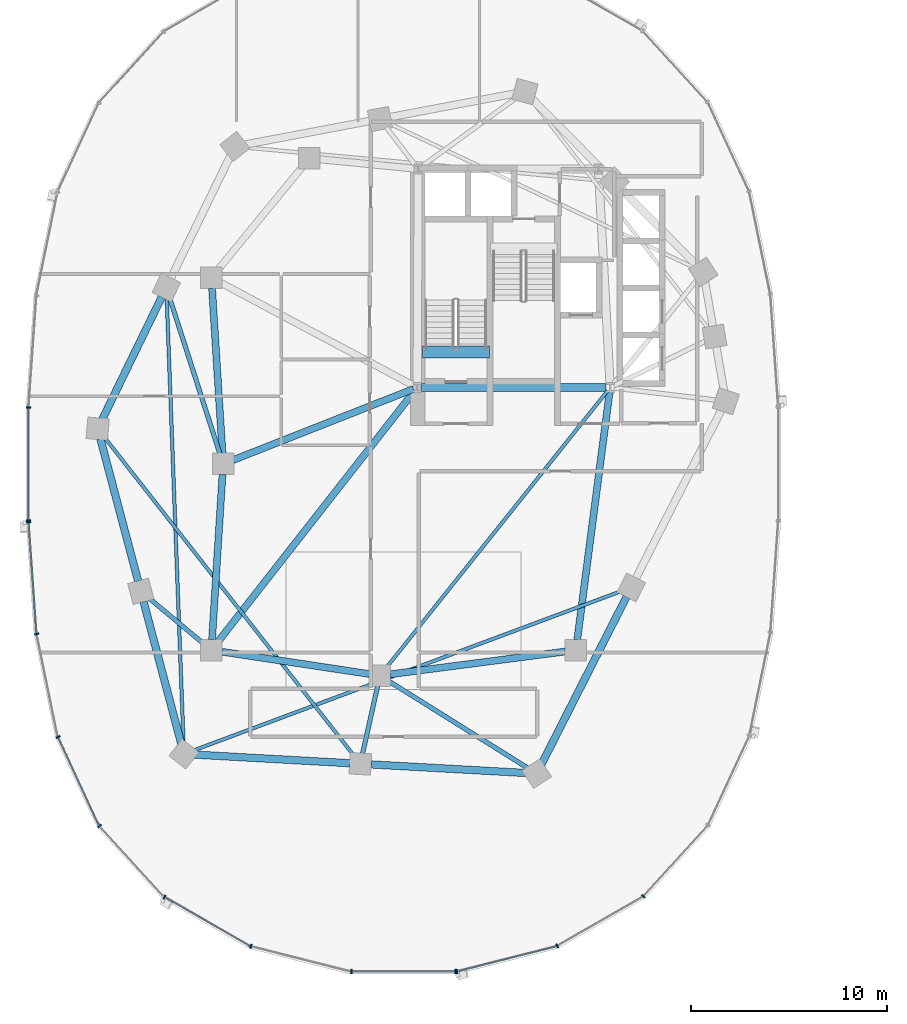
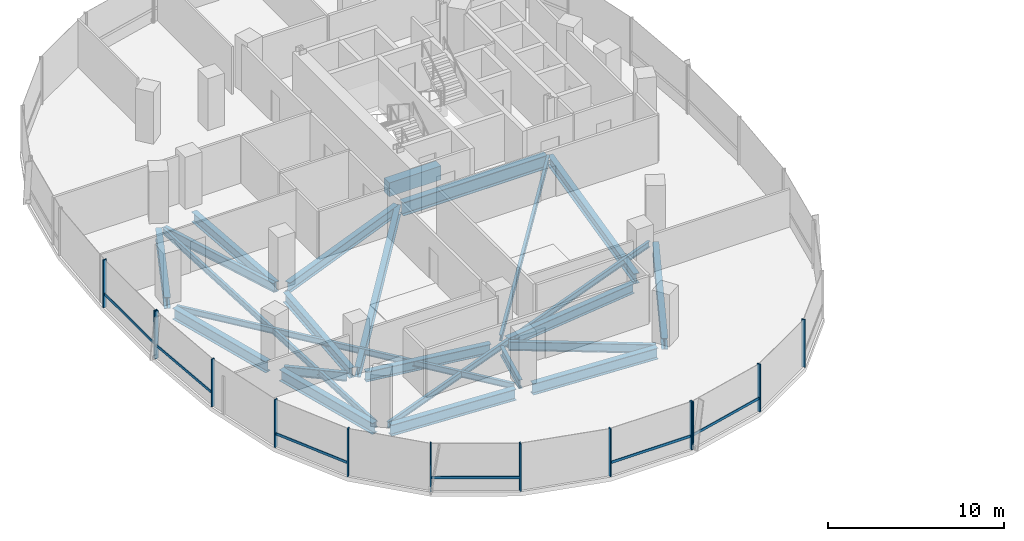
# One storey, part 2 of 21: 23 beams, 19 members, 3 elements without a shape of their own.
"""IFC4 building model written with IfcOpenShell, lengths in metres."""

from ifc_helpers import new_model, si_unit, direction, frame, origin, origin_2d, place, context, subcontext, project, spatial, rectangle, i_section, extrude, material, material_profile, profile_set, type_object, element, aggregate, save


model = new_model("IFC4")

# Units and contexts
model_context = context("Model", 3, precision=1e-05, world=origin(), true_north=direction((0.0, 1.0)))
body_context = subcontext(model_context, "Body", "Model", "MODEL_VIEW")
ifc_project = project(units=[si_unit("LENGTHUNIT", "METRE"), si_unit("AREAUNIT", "SQUARE_METRE"), si_unit("VOLUMEUNIT", "CUBIC_METRE"), si_unit("PLANEANGLEUNIT", "RADIAN"), si_unit("MASSUNIT", "GRAM", prefix="KILO"), si_unit("THERMODYNAMICTEMPERATUREUNIT", "KELVIN"), si_unit("POWERUNIT", "WATT")], contexts=[model_context])

# Site, building, storey
site_placement = place(None, origin())
site = spatial("IfcSite", under=ifc_project, at=site_placement, CompositionType="ELEMENT")
building_placement = place(site_placement, origin())
building = spatial("IfcBuilding", under=site, at=building_placement, Name="Cundina Bronze Exchange", CompositionType="ELEMENT")
storey_placement = place(building_placement, frame((0.0, 0.0, 92.60009765625)))
storey = spatial("IfcBuildingStorey", under=building, at=storey_placement, Name="L23", CompositionType="ELEMENT", Elevation=92.60009765625)

# Beams
ifc_material_1 = material(Name="Concrete C60/75", Category="concrete")
ifc_material_profile_1 = material_profile(ifc_material_1, rectangle(XDim=0.60009765625, YDim=0.949951171875, at=origin_2d()), Name="RC600X950", Category="concrete")
ifc_profile_set_1 = profile_set([ifc_material_profile_1], Name="Concrete C60/75")
beam_type_1 = type_object("IfcBeamType", Name="BM-COUP-RC950", PredefinedType="LINTEL", material=ifc_profile_set_1)
beam_1_placement = place(storey_placement, frame((-31.02001953125, 5.719970703125, -0.47509765625), z_axis=(1.0, 0.0, 0.0), x_axis=(0.0, 1.0, 0.0)))
element("IfcBeam", 1, at=beam_1_placement, inside=storey, type_object=beam_type_1, Name="L23 Stair W1 Landing Header Beam", PredefinedType="LINTEL", context=body_context, shape_type="SweptSolid", body=[
    extrude(rectangle(XDim=0.60009765625, YDim=0.949951171875, at=origin_2d()), origin(), (0.0, 0.0, 1.0), 3.39990234375),
])
ifc_material_2 = material(Name="Steel ASTM A992 Grade 50", Category="steel")
ifc_material_profile_2 = material_profile(ifc_material_2, i_section(OverallWidth=0.22998046875, OverallDepth=0.616943359375, WebThickness=0.01318359375, FlangeThickness=0.022216796875, FilletRadius=0.013916015625, at=origin_2d()), Name="W24X94", Category="steel")
ifc_profile_set_2 = profile_set([ifc_material_profile_2], Name="Steel ASTM A992 Grade 50")
beam_type_2 = type_object("IfcBeamType", Name="BM-FLR-W24B", PredefinedType="BEAM", material=ifc_profile_set_2)
beam_2_placement = place(storey_placement, frame((-41.364990234375, 0.51220703125, -0.608642578125), z_axis=(-0.306710777581, 0.951802762612, 0.0), x_axis=(-0.951802762612, -0.306710777581, 0.0)))
element("IfcBeam", 2, at=beam_2_placement, inside=storey, type_object=beam_type_2, Name="L23 Leg W Radial Floor Beam 07", PredefinedType="BEAM", context=body_context, shape_type="SweptSolid", body=[
    extrude(i_section(OverallWidth=0.22998046875, OverallDepth=0.616943359375, WebThickness=0.01318359375, FlangeThickness=0.022216796875, FilletRadius=0.013916015625, at=origin_2d()), origin(), (0.0, 0.0, 1.0), 8.37939453125),
])
beam_3_placement = place(storey_placement, frame((-42.21337890625, -9.155517578125, -0.608642578125), z_axis=(-0.768243451945, 0.640157791911, 0.0), x_axis=(-0.640157791911, -0.768243451945, 0.0)))
element("IfcBeam", 3, at=beam_3_placement, inside=storey, type_object=beam_type_2, Name="L23 Leg W Radial Floor Beam 09", PredefinedType="BEAM", context=body_context, shape_type="SweptSolid", body=[
    extrude(i_section(OverallWidth=0.22998046875, OverallDepth=0.616943359375, WebThickness=0.01318359375, FlangeThickness=0.022216796875, FilletRadius=0.013916015625, at=origin_2d()), origin(), (0.0, 0.0, 1.0), 3.610107421875),
])
beam_4_placement = place(storey_placement, frame((-33.316650390625, -11.3251953125, -0.608642578125), z_axis=(-0.216930457819, -0.976187060184, 0.0), x_axis=(0.976187060184, -0.216930457819, 0.0)))
element("IfcBeam", 4, at=beam_4_placement, inside=storey, type_object=beam_type_2, Name="L23 Leg W Radial Floor Beam 11", PredefinedType="BEAM", context=body_context, shape_type="SweptSolid", body=[
    extrude(i_section(OverallWidth=0.22998046875, OverallDepth=0.616943359375, WebThickness=0.01318359375, FlangeThickness=0.022216796875, FilletRadius=0.013916015625, at=origin_2d()), origin(), (0.0, 0.0, 1.0), 3.533935546875),
])
beam_5_placement = place(storey_placement, frame((-32.743896484375, -11.085205078125, -0.608642578125), z_axis=(0.848003227047, -0.529991063055, 0.0), x_axis=(0.529991063055, 0.848003227047, 0.0)))
element("IfcBeam", 5, at=beam_5_placement, inside=storey, type_object=beam_type_2, Name="L23 Leg W Radial Floor Beam 12", PredefinedType="BEAM", context=body_context, shape_type="SweptSolid", body=[
    extrude(i_section(OverallWidth=0.22998046875, OverallDepth=0.616943359375, WebThickness=0.01318359375, FlangeThickness=0.022216796875, FilletRadius=0.013916015625, at=origin_2d()), origin(), (0.0, 0.0, 1.0), 8.358154296875),
])
ifc_material_profile_3 = material_profile(ifc_material_2, i_section(OverallWidth=0.178955078125, OverallDepth=0.409912109375, WebThickness=0.0087890625, FlangeThickness=0.014404296875, FilletRadius=0.010986328125, at=origin_2d()), Name="W16X45", Category="steel")
ifc_profile_set_3 = profile_set([ifc_material_profile_3], Name="Steel ASTM A992 Grade 50")
beam_type_3 = type_object("IfcBeamType", Name="BM-JST-W16", PredefinedType="JOIST", material=ifc_profile_set_3)
beam_6_placement = place(storey_placement, frame((-21.577392578125, 3.740478515625, -0.505126953125), z_axis=(-0.62436887964, -0.781129632095, 0.0), x_axis=(0.781129632095, -0.62436887964, 0.0)))
element("IfcBeam", 6, at=beam_6_placement, inside=storey, type_object=beam_type_3, Name="L23 W Interior Core-to-Ring Joist 2", PredefinedType="JOIST", context=body_context, shape_type="SweptSolid", body=[
    extrude(i_section(OverallWidth=0.178955078125, OverallDepth=0.409912109375, WebThickness=0.0087890625, FlangeThickness=0.014404296875, FilletRadius=0.010986328125, at=origin_2d()), origin(), (0.0, 0.0, 1.0), 18.076904296875),
])
beam_7_placement = place(storey_placement, frame((-44.07958984375, 8.46240234375, -0.505126953125), z_axis=(0.03778951385, -0.999285721224, 0.0), x_axis=(0.999285721224, 0.03778951385, 0.0)))
element("IfcBeam", 7, at=beam_7_placement, inside=storey, type_object=beam_type_3, Name="L23 Leg W Lobe Floor Joist 07-10", PredefinedType="JOIST", context=body_context, shape_type="SweptSolid", body=[
    extrude(i_section(OverallWidth=0.178955078125, OverallDepth=0.409912109375, WebThickness=0.0087890625, FlangeThickness=0.014404296875, FilletRadius=0.010986328125, at=origin_2d()), origin(), (0.0, 0.0, 1.0), 22.7412109375),
])
beam_8_placement = place(storey_placement, frame((-47.268310546875, 1.37646484375, -0.505126953125), z_axis=(0.616815348306, -0.787107887201, 0.0), x_axis=(0.787107887201, 0.616815348306, 0.0)))
element("IfcBeam", 8, at=beam_8_placement, inside=storey, type_object=beam_type_3, Name="L23 Leg W Lobe Floor Joist 08-11", PredefinedType="JOIST", context=body_context, shape_type="SweptSolid", body=[
    extrude(i_section(OverallWidth=0.178955078125, OverallDepth=0.409912109375, WebThickness=0.0087890625, FlangeThickness=0.014404296875, FilletRadius=0.010986328125, at=origin_2d()), origin(), (0.0, 0.0, 1.0), 20.64892578125),
])
beam_9_placement = place(storey_placement, frame((-42.69580078125, -14.6123046875, -0.505126953125), z_axis=(0.937127917421, 0.348986054721, 0.0), x_axis=(-0.348986054721, 0.937127917421, 0.0)))
element("IfcBeam", 9, at=beam_9_placement, inside=storey, type_object=beam_type_3, Name="L23 Leg W Lobe Floor Joist 10-13", PredefinedType="JOIST", context=body_context, shape_type="SweptSolid", body=[
    extrude(i_section(OverallWidth=0.178955078125, OverallDepth=0.409912109375, WebThickness=0.0087890625, FlangeThickness=0.014404296875, FilletRadius=0.010986328125, at=origin_2d()), origin(), (0.0, 0.0, 1.0), 23.2802734375),
])
ifc_material_profile_4 = material_profile(ifc_material_2, i_section(OverallWidth=0.35498046875, OverallDepth=0.695068359375, WebThickness=0.015380859375, FlangeThickness=0.02490234375, FilletRadius=0.01806640625, at=origin_2d()), Name="W27X146", Category="steel")
ifc_profile_set_4 = profile_set([ifc_material_profile_4], Name="Steel ASTM A992 Grade 50")
beam_type_4 = type_object("IfcBeamType", Name="BM-RING-W27", PredefinedType="USERDEFINED", material=ifc_profile_set_4)
for number, where, z_axis, x_axis, name in (
    (10, (-41.76611328125, 8.963134765625, -0.647705078125), (0.06303715519, -0.998011180832, 0.0), (0.998011180832, 0.06303715519, 0.0), "L23 W Inner Structural Ring Girder 03"),
    (11, (-41.23388671875, -0.536865234375, -0.647705078125), (-0.06303715519, -0.998011180832, 0.0), (0.998011180832, -0.06303715519, 0.0), "L23 W Inner Structural Ring Girder 04"),
):
    element("IfcBeam", number, at=place(storey_placement, frame(where, z_axis=z_axis, x_axis=x_axis)), inside=storey, type_object=beam_type_4, Name=name, ObjectType="GIRDER", PredefinedType="USERDEFINED", context=body_context, shape_type="SweptSolid", body=[
        extrude(i_section(OverallWidth=0.35498046875, OverallDepth=0.695068359375, WebThickness=0.015380859375, FlangeThickness=0.02490234375, FilletRadius=0.01806640625, at=origin_2d()), origin(), (0.0, 0.0, 1.0), 8.443115234375),
    ])
beam_10_placement = place(storey_placement, frame((-41.26806640625, -9.580322265625, -0.647705078125), z_axis=(0.988767489563, -0.149461873341, 0.0), x_axis=(0.149461873341, 0.988767489563, 0.0)))
element("IfcBeam", 12, at=beam_10_placement, inside=storey, type_object=beam_type_4, Name="L23 W Inner Structural Ring Girder 05", ObjectType="GIRDER", PredefinedType="USERDEFINED", context=body_context, shape_type="SweptSolid", body=[
    extrude(i_section(OverallWidth=0.35498046875, OverallDepth=0.695068359375, WebThickness=0.015380859375, FlangeThickness=0.02490234375, FilletRadius=0.01806640625, at=origin_2d()), origin(), (0.0, 0.0, 1.0), 7.621826171875),
])
beam_11_placement = place(storey_placement, frame((-32.66650390625, -10.730712890625, -0.647705078125), z_axis=(0.991654577907, 0.128923225666, 0.0), x_axis=(-0.128923225666, 0.991654577907, 0.0)))
element("IfcBeam", 13, at=beam_11_placement, inside=storey, type_object=beam_type_4, Name="L23 W Inner Structural Ring Girder 06", ObjectType="GIRDER", PredefinedType="USERDEFINED", context=body_context, shape_type="SweptSolid", body=[
    extrude(i_section(OverallWidth=0.35498046875, OverallDepth=0.695068359375, WebThickness=0.015380859375, FlangeThickness=0.02490234375, FilletRadius=0.01806640625, at=origin_2d()), origin(), (0.0, 0.0, 1.0), 9.00830078125),
])
beam_12_placement = place(storey_placement, frame((-23.13037109375, -8.966552734375, -0.647705078125), z_axis=(0.129507526533, 0.99157843894, 0.0), x_axis=(-0.99157843894, 0.129507526533, 0.0)))
element("IfcBeam", 14, at=beam_12_placement, inside=storey, type_object=beam_type_4, Name="L23 W Inner Structural Ring Girder 07", ObjectType="GIRDER", PredefinedType="USERDEFINED", context=body_context, shape_type="SweptSolid", body=[
    extrude(i_section(OverallWidth=0.35498046875, OverallDepth=0.695068359375, WebThickness=0.015380859375, FlangeThickness=0.02490234375, FilletRadius=0.01806640625, at=origin_2d()), origin(), (0.0, 0.0, 1.0), 12.77197265625),
])
beam_13_placement = place(storey_placement, frame((-31.48974609375, 3.8251953125, -0.647705078125), z_axis=(-0.930413235418, -0.366512225388, 0.0), x_axis=(0.366512225388, -0.930413235418, 0.0)))
element("IfcBeam", 15, at=beam_13_placement, inside=storey, type_object=beam_type_4, Name="L23 W Core-to-Waist Tie Beam 1", ObjectType="GIRDER", PredefinedType="USERDEFINED", context=body_context, shape_type="SweptSolid", body=[
    extrude(i_section(OverallWidth=0.35498046875, OverallDepth=0.695068359375, WebThickness=0.015380859375, FlangeThickness=0.02490234375, FilletRadius=0.01806640625, at=origin_2d()), origin(), (0.0, 0.0, 1.0), 9.8984375),
])
beam_14_placement = place(storey_placement, frame((-31.42578125, 3.739501953125, -0.647705078125), z_axis=(-0.616789275748, -0.787128318206, 0.0), x_axis=(0.787128318206, -0.616789275748, 0.0)))
element("IfcBeam", 16, at=beam_14_placement, inside=storey, type_object=beam_type_4, Name="L23 W Core-to-Waist Tie Beam 3", ObjectType="GIRDER", PredefinedType="USERDEFINED", context=body_context, shape_type="SweptSolid", body=[
    extrude(i_section(OverallWidth=0.35498046875, OverallDepth=0.695068359375, WebThickness=0.015380859375, FlangeThickness=0.02490234375, FilletRadius=0.01806640625, at=origin_2d()), origin(), (0.0, 0.0, 1.0), 16.281982421875),
])
ifc_material_profile_5 = material_profile(ifc_material_2, i_section(OverallWidth=0.381103515625, OverallDepth=0.77294921875, WebThickness=0.0166015625, FlangeThickness=0.027099609375, FilletRadius=0.01904296875, at=origin_2d()), Name="W30X173", Category="steel")
ifc_profile_set_5 = profile_set([ifc_material_profile_5], Name="Steel ASTM A992 Grade 50")
beam_type_5 = type_object("IfcBeamType", Name="BM-RING-W30", PredefinedType="USERDEFINED", material=ifc_profile_set_5)
beam_15_placement = place(storey_placement, frame((-44.335205078125, 8.51611328125, -0.6865234375), z_axis=(-0.437193894283, -0.899367276924, 0.0), x_axis=(0.899367276924, -0.437193894283, 0.0)))
element("IfcBeam", 17, at=beam_15_placement, inside=storey, type_object=beam_type_5, Name="L23 W Perimeter Ring Girder 07", ObjectType="GIRDER", PredefinedType="USERDEFINED", context=body_context, shape_type="SweptSolid", body=[
    extrude(i_section(OverallWidth=0.381103515625, OverallDepth=0.77294921875, WebThickness=0.0166015625, FlangeThickness=0.027099609375, FilletRadius=0.01904296875, at=origin_2d()), origin(), (0.0, 0.0, 1.0), 6.929443359375),
])
for number, where, z_axis, x_axis, name in (
    (18, (-47.462158203125, 1.280029296875, -0.6865234375), (0.256209719931, -0.966621218168, 0.0), (0.966621218168, 0.256209719931, 0.0), "L23 W Perimeter Ring Girder 08"),
    (19, (-45.26220703125, -7.02001953125, -0.6865234375), (0.256209719931, -0.966621218168, 0.0), (0.966621218168, 0.256209719931, 0.0), "L23 W Perimeter Ring Girder 09"),
):
    element("IfcBeam", number, at=place(storey_placement, frame(where, z_axis=z_axis, x_axis=x_axis)), inside=storey, type_object=beam_type_5, Name=name, ObjectType="GIRDER", PredefinedType="USERDEFINED", context=body_context, shape_type="SweptSolid", body=[
        extrude(i_section(OverallWidth=0.381103515625, OverallDepth=0.77294921875, WebThickness=0.0166015625, FlangeThickness=0.027099609375, FilletRadius=0.01904296875, at=origin_2d()), origin(), (0.0, 0.0, 1.0), 7.5107421875),
    ])
for number, where, z_axis, x_axis, name in (
    (20, (-42.662841796875, -14.829833984375, -0.6865234375), (0.99845950136, -0.055485350721, 0.0), (0.055485350721, 0.99845950136, 0.0), "L23 W Perimeter Ring Girder 10"),
    (21, (-33.662841796875, -15.329833984375, -0.6865234375), (0.99845950136, -0.055485350721, 0.0), (0.055485350721, 0.99845950136, 0.0), "L23 W Perimeter Ring Girder 11"),
):
    element("IfcBeam", number, at=place(storey_placement, frame(where, z_axis=z_axis, x_axis=x_axis)), inside=storey, type_object=beam_type_5, Name=name, ObjectType="GIRDER", PredefinedType="USERDEFINED", context=body_context, shape_type="SweptSolid", body=[
        extrude(i_section(OverallWidth=0.381103515625, OverallDepth=0.77294921875, WebThickness=0.0166015625, FlangeThickness=0.027099609375, FilletRadius=0.01904296875, at=origin_2d()), origin(), (0.0, 0.0, 1.0), 7.937744140625),
    ])
beam_16_placement = place(storey_placement, frame((-24.956298828125, -15.3203125, -0.6865234375), z_axis=(0.452832332744, 0.891595692241, 0.0), x_axis=(-0.891595692241, 0.452832332744, 0.0)))
element("IfcBeam", 22, at=beam_16_placement, inside=storey, type_object=beam_type_5, Name="L23 W Perimeter Ring Girder 12", ObjectType="GIRDER", PredefinedType="USERDEFINED", context=body_context, shape_type="SweptSolid", body=[
    extrude(i_section(OverallWidth=0.381103515625, OverallDepth=0.77294921875, WebThickness=0.0166015625, FlangeThickness=0.027099609375, FilletRadius=0.01904296875, at=origin_2d()), origin(), (0.0, 0.0, 1.0), 9.578857421875),
])
ifc_material_profile_6 = material_profile(ifc_material_2, i_section(OverallWidth=0.41796875, OverallDepth=0.927001953125, WebThickness=0.019287109375, FlangeThickness=0.031982421875, FilletRadius=0.02392578125, at=origin_2d()), Name="W36X231", Category="steel")
ifc_profile_set_6 = profile_set([ifc_material_profile_6], Name="Steel ASTM A992 Grade 50")
beam_type_6 = type_object("IfcBeamType", Name="BM-WRN-W36B", PredefinedType="USERDEFINED", material=ifc_profile_set_6)
beam_17_placement = place(storey_placement, frame((-31.095947265625, 3.89990234375, -0.763671875), z_axis=(1.0, 0.0, 0.0), x_axis=(0.0, 1.0, 0.0)))
element("IfcBeam", 23, at=beam_17_placement, inside=storey, type_object=beam_type_6, Name="L23 W Core Perimeter Tie Girder 1", ObjectType="GIRDER", PredefinedType="USERDEFINED", context=body_context, shape_type="SweptSolid", body=[
    extrude(i_section(OverallWidth=0.41796875, OverallDepth=0.927001953125, WebThickness=0.019287109375, FlangeThickness=0.031982421875, FilletRadius=0.02392578125, at=origin_2d()), origin(), (0.0, 0.0, 1.0), 9.44189453125),
])

# Curtain wall, members
ifc_material_3 = material(Name="Anodised Bronze Aluminium 6063-T6", Category="aluminium")
curtain_wall_type = type_object("IfcCurtainWallType", Name="CWS-TRD-MID", PredefinedType="NOTDEFINED", material=ifc_material_3)
curtain_wall_1_placement = place(storey_placement, origin())
curtain_wall_1 = element("IfcCurtainWall", 24, at=curtain_wall_1_placement, inside=storey, type_object=curtain_wall_type, Name="L23 CW-03 Curtain Wall Run CWR-L23-W2", PredefinedType="NOTDEFINED")
ifc_material_profile_7 = material_profile(ifc_material_3, rectangle(XDim=0.074951171875, YDim=0.219970703125, at=origin_2d()), Name="AL75X220", Category="aluminium")
ifc_profile_set_7 = profile_set([ifc_material_profile_7], Name="Anodised Bronze Aluminium 6063-T6")
member_type_1 = type_object("IfcMemberType", Name="CWM-MUL-220", PredefinedType="MULLION", material=ifc_profile_set_7)
member_1_placement = place(storey_placement, frame((-51.1279296875, 2.880615234375, 0.0), z_axis=(0.0, 0.0, 1.0), x_axis=(0.0, -1.0, 0.0)))
member_1 = element("IfcMember", 25, at=member_1_placement, type_object=member_type_1, Name="CW-03 Mullion 7", PredefinedType="MULLION", context=body_context, shape_type="SweptSolid", body=[
    extrude(rectangle(XDim=0.074951171875, YDim=0.219970703125, at=origin_2d()), origin(), (0.0, 0.0, 1.0), 3.2998046875),
])
member_2_placement = place(storey_placement, frame((-51.1279296875, -2.880615234375, 0.0), z_axis=(0.0, 0.0, 1.0), x_axis=(0.0, -1.0, 0.0)))
member_2 = element("IfcMember", 26, at=member_2_placement, type_object=member_type_1, Name="CW-03 End Mullion", PredefinedType="MULLION", context=body_context, shape_type="SweptSolid", body=[
    extrude(rectangle(XDim=0.074951171875, YDim=0.219970703125, at=origin_2d()), origin(), (0.0, 0.0, 1.0), 3.2998046875),
])

curtain_wall_2_placement = place(storey_placement, origin())
curtain_wall_2 = element("IfcCurtainWall", 27, at=curtain_wall_2_placement, inside=storey, type_object=curtain_wall_type, Name="L23 CW-03 Curtain Wall Run CWR-L23-W3", PredefinedType="NOTDEFINED")
member_3_placement = place(storey_placement, frame((-51.12451171875, -2.976318359375, 0.0), z_axis=(0.0, 0.0, 1.0), x_axis=(0.070278787473, -0.997527389113, 0.0)))
member_3 = element("IfcMember", 28, at=member_3_placement, type_object=member_type_1, Name="CW-03 Mullion 1", PredefinedType="MULLION", context=body_context, shape_type="SweptSolid", body=[
    extrude(rectangle(XDim=0.074951171875, YDim=0.219970703125, at=origin_2d()), origin(), (0.0, 0.0, 1.0), 3.2998046875),
])
member_4_placement = place(storey_placement, frame((-50.717041015625, -8.67822265625, 0.0), z_axis=(0.0, 0.0, 1.0), x_axis=(0.201419845156, -0.979505000486, 0.0)))
member_4 = element("IfcMember", 29, at=member_4_placement, type_object=member_type_1, Name="CW-03 Mullion 2", PredefinedType="MULLION", context=body_context, shape_type="SweptSolid", body=[
    extrude(rectangle(XDim=0.074951171875, YDim=0.219970703125, at=origin_2d()), origin(), (0.0, 0.0, 1.0), 3.2998046875),
])
member_5_placement = place(storey_placement, frame((-49.6279296875, -13.931884765625, 0.0), z_axis=(0.0, 0.0, 1.0), x_axis=(0.42087749791, -0.907117485088, 0.0)))
member_5 = element("IfcMember", 30, at=member_5_placement, type_object=member_type_1, Name="CW-03 Mullion 3", PredefinedType="MULLION", context=body_context, shape_type="SweptSolid", body=[
    extrude(rectangle(XDim=0.074951171875, YDim=0.219970703125, at=origin_2d()), origin(), (0.0, 0.0, 1.0), 3.2998046875),
])
member_6_placement = place(storey_placement, frame((-47.508544921875, -18.47705078125, 0.0), z_axis=(0.0, 0.0, 1.0), x_axis=(0.674302387584, -0.738455340626, 0.0)))
member_6 = element("IfcMember", 31, at=member_6_placement, type_object=member_type_1, Name="CW-03 Mullion 4", PredefinedType="MULLION", context=body_context, shape_type="SweptSolid", body=[
    extrude(rectangle(XDim=0.074951171875, YDim=0.219970703125, at=origin_2d()), origin(), (0.0, 0.0, 1.0), 3.2998046875),
])
member_7_placement = place(storey_placement, frame((-44.189697265625, -22.097412109375, 0.0), z_axis=(0.0, 0.0, 1.0), x_axis=(0.867070701164, -0.498185105339, 0.0)))
member_7 = element("IfcMember", 32, at=member_7_placement, type_object=member_type_1, Name="CW-03 Mullion 5", PredefinedType="MULLION", context=body_context, shape_type="SweptSolid", body=[
    extrude(rectangle(XDim=0.074951171875, YDim=0.219970703125, at=origin_2d()), origin(), (0.0, 0.0, 1.0), 3.2998046875),
])
member_8_placement = place(storey_placement, frame((-39.78515625, -24.61669921875, 0.0), z_axis=(0.0, 0.0, 1.0), x_axis=(0.969488149345, -0.245138182011, 0.0)))
member_8 = element("IfcMember", 33, at=member_8_placement, type_object=member_type_1, Name="CW-03 Mullion 6", PredefinedType="MULLION", context=body_context, shape_type="SweptSolid", body=[
    extrude(rectangle(XDim=0.074951171875, YDim=0.219970703125, at=origin_2d()), origin(), (0.0, 0.0, 1.0), 3.2998046875),
])
member_9_placement = place(storey_placement, frame((-34.654541015625, -25.905029296875, 0.0), z_axis=(0.0, 0.0, 1.0), x_axis=(1.0, 0.0, 0.0)))
member_9 = element("IfcMember", 34, at=member_9_placement, type_object=member_type_1, Name="CW-03 Mullion 7", PredefinedType="MULLION", context=body_context, shape_type="SweptSolid", body=[
    extrude(rectangle(XDim=0.074951171875, YDim=0.219970703125, at=origin_2d()), origin(), (0.0, 0.0, 1.0), 3.2998046875),
])
member_10_placement = place(storey_placement, frame((-29.345458984375, -25.905029296875, 0.0), z_axis=(0.0, 0.0, 1.0), x_axis=(1.0, 0.0, 0.0)))
member_10 = element("IfcMember", 35, at=member_10_placement, type_object=member_type_1, Name="CW-03 End Mullion", PredefinedType="MULLION", context=body_context, shape_type="SweptSolid", body=[
    extrude(rectangle(XDim=0.074951171875, YDim=0.219970703125, at=origin_2d()), origin(), (0.0, 0.0, 1.0), 3.2998046875),
])

curtain_wall_3_placement = place(storey_placement, origin())
curtain_wall_3 = element("IfcCurtainWall", 36, at=curtain_wall_3_placement, inside=storey, type_object=curtain_wall_type, Name="L23 CW-03 Curtain Wall Run CWR-L23-W4", PredefinedType="NOTDEFINED")
member_11_placement = place(storey_placement, frame((-29.27392578125, -25.89599609375, 0.0), z_axis=(0.0, 0.0, 1.0), x_axis=(0.969488149345, 0.245138182011, 0.0)))
member_11 = element("IfcMember", 37, at=member_11_placement, type_object=member_type_1, Name="CW-03 Mullion 1", PredefinedType="MULLION", context=body_context, shape_type="SweptSolid", body=[
    extrude(rectangle(XDim=0.074951171875, YDim=0.219970703125, at=origin_2d()), origin(), (0.0, 0.0, 1.0), 3.2998046875),
])
member_12_placement = place(storey_placement, frame((-24.151123046875, -24.591064453125, 0.0), z_axis=(0.0, 0.0, 1.0), x_axis=(0.867070701164, 0.498185105339, 0.0)))
member_12 = element("IfcMember", 38, at=member_12_placement, type_object=member_type_1, Name="CW-03 Mullion 2", PredefinedType="MULLION", context=body_context, shape_type="SweptSolid", body=[
    extrude(rectangle(XDim=0.074951171875, YDim=0.219970703125, at=origin_2d()), origin(), (0.0, 0.0, 1.0), 3.2998046875),
])
member_13_placement = place(storey_placement, frame((-19.760498046875, -22.0576171875, 0.0), z_axis=(0.0, 0.0, 1.0), x_axis=(0.674302387584, 0.738455340626, 0.0)))
member_13 = element("IfcMember", 39, at=member_13_placement, type_object=member_type_1, Name="CW-03 Mullion 3", PredefinedType="MULLION", context=body_context, shape_type="SweptSolid", body=[
    extrude(rectangle(XDim=0.074951171875, YDim=0.219970703125, at=origin_2d()), origin(), (0.0, 0.0, 1.0), 3.2998046875),
])

# Member
ifc_material_profile_8 = material_profile(ifc_material_3, rectangle(XDim=0.070068359375, YDim=0.179931640625, at=origin_2d()), Name="AL70X180", Category="aluminium")
ifc_profile_set_8 = profile_set([ifc_material_profile_8], Name="Anodised Bronze Aluminium 6063-T6")
member_type_2 = type_object("IfcMemberType", Name="CWM-TRN-180", PredefinedType="USERDEFINED", material=ifc_profile_set_8)
member_14_placement = place(storey_placement, frame((-51.1279296875, 2.839111328125, 0.919921875), z_axis=(0.0, -1.0, 0.0), x_axis=(1.0, 0.0, 0.0)))
member_14 = element("IfcMember", 40, at=member_14_placement, type_object=member_type_2, Name="CW-03 Spandrel Transom 7", ObjectType="TRANSOM", PredefinedType="USERDEFINED", context=body_context, shape_type="SweptSolid", body=[
    extrude(rectangle(XDim=0.070068359375, YDim=0.179931640625, at=origin_2d()), origin(), (0.0, 0.0, 1.0), 5.67822265625),
])

aggregate(curtain_wall_1, [member_1, member_2, member_14])

member_15_placement = place(storey_placement, frame((-51.12158203125, -3.017333984375, 0.919921875), z_axis=(0.070260714471, -0.997528662246, 0.0), x_axis=(0.997528662246, 0.070260714471, 0.0)))
member_15 = element("IfcMember", 41, at=member_15_placement, type_object=member_type_2, Name="CW-03 Spandrel Transom 1", ObjectType="TRANSOM", PredefinedType="USERDEFINED", context=body_context, shape_type="SweptSolid", body=[
    extrude(rectangle(XDim=0.070068359375, YDim=0.179931640625, at=origin_2d()), origin(), (0.0, 0.0, 1.0), 5.629150390625),
])

member_16_placement = place(storey_placement, frame((-49.610595703125, -13.96923828125, 0.919921875), z_axis=(0.420811422796, -0.907148139195, 0.0), x_axis=(0.907148139195, 0.420811422796, 0.0)))
member_16 = element("IfcMember", 42, at=member_16_placement, type_object=member_type_2, Name="CW-03 Spandrel Transom 3", ObjectType="TRANSOM", PredefinedType="USERDEFINED", context=body_context, shape_type="SweptSolid", body=[
    extrude(rectangle(XDim=0.070068359375, YDim=0.179931640625, at=origin_2d()), origin(), (0.0, 0.0, 1.0), 4.95166015625),
])

member_17_placement = place(storey_placement, frame((-44.154052734375, -22.117919921875, 0.919921875), z_axis=(0.867097475651, -0.498138502546, 0.0), x_axis=(0.498138502546, 0.867097475651, 0.0)))
member_17 = element("IfcMember", 43, at=member_17_placement, type_object=member_type_2, Name="CW-03 Spandrel Transom 5", ObjectType="TRANSOM", PredefinedType="USERDEFINED", context=body_context, shape_type="SweptSolid", body=[
    extrude(rectangle(XDim=0.070068359375, YDim=0.179931640625, at=origin_2d()), origin(), (0.0, 0.0, 1.0), 5.00634765625),
])

member_18_placement = place(storey_placement, frame((-34.61328125, -25.905029296875, 0.919921875), z_axis=(1.0, 0.0, 0.0), x_axis=(0.0, 1.0, 0.0)))
member_18 = element("IfcMember", 44, at=member_18_placement, type_object=member_type_2, Name="CW-03 Spandrel Transom 7", ObjectType="TRANSOM", PredefinedType="USERDEFINED", context=body_context, shape_type="SweptSolid", body=[
    extrude(rectangle(XDim=0.070068359375, YDim=0.179931640625, at=origin_2d()), origin(), (0.0, 0.0, 1.0), 5.2265625),
])

aggregate(curtain_wall_2, [member_3, member_15, member_4, member_5, member_16, member_6, member_7, member_17, member_8, member_9, member_10, member_18])

member_19_placement = place(storey_placement, frame((-29.23388671875, -25.885986328125, 0.919921875), z_axis=(0.969483968866, 0.245154714644, 0.0), x_axis=(-0.245154714644, 0.969483968866, 0.0)))
member_19 = element("IfcMember", 45, at=member_19_placement, type_object=member_type_2, Name="CW-03 Spandrel Transom 1", ObjectType="TRANSOM", PredefinedType="USERDEFINED", context=body_context, shape_type="SweptSolid", body=[
    extrude(rectangle(XDim=0.070068359375, YDim=0.179931640625, at=origin_2d()), origin(), (0.0, 0.0, 1.0), 5.21826171875),
])

aggregate(curtain_wall_3, [member_11, member_19, member_12, member_13])

save(model, "model.ifc")
